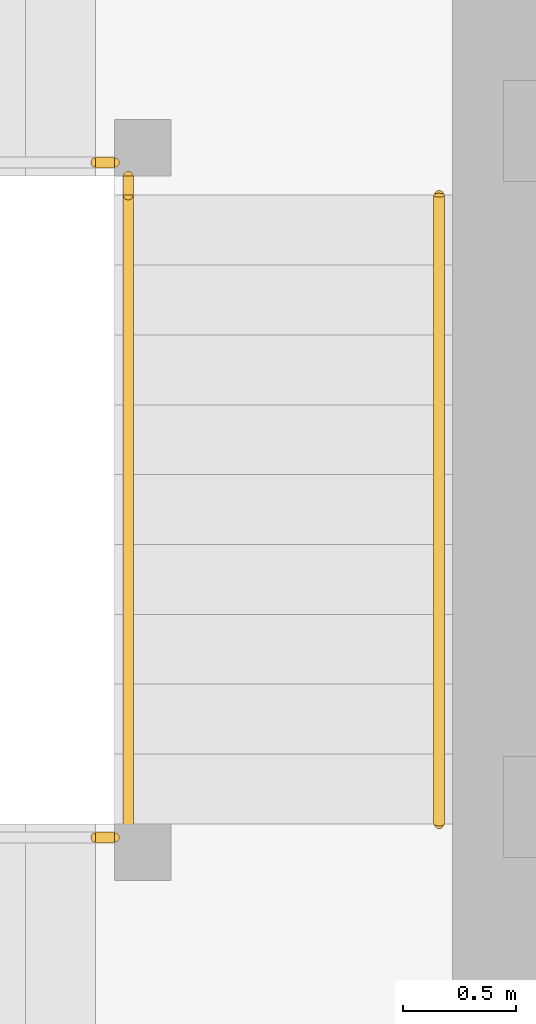
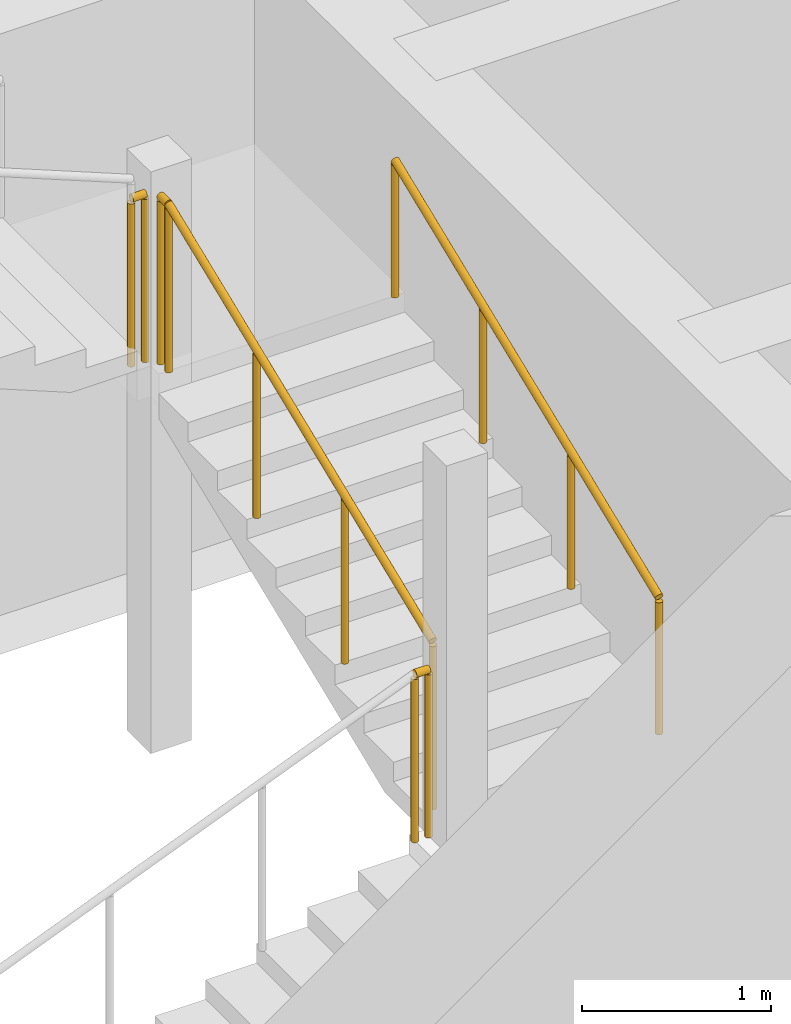
# One storey, part 34 of 40: 5 railings.
"""IFC4 building model written with IfcOpenShell, lengths in metres."""

from ifc_helpers import new_model, si_unit, direction, frame, origin, origin_2d, place, context, subcontext, project, spatial, circle, extrude, material, type_object, element, save


model = new_model("IFC4")

# Units and contexts
model_context = context("Model", 3, precision=1e-05, world=origin(), true_north=direction((0.0, 1.0)))
body_context = subcontext(model_context, "Body", "Model", "MODEL_VIEW")
ifc_project = project(units=[si_unit("LENGTHUNIT", "METRE"), si_unit("AREAUNIT", "SQUARE_METRE"), si_unit("VOLUMEUNIT", "CUBIC_METRE"), si_unit("PLANEANGLEUNIT", "RADIAN"), si_unit("MASSUNIT", "GRAM", prefix="KILO")], contexts=[model_context])

# Site, building, storey
site_placement = place(None, origin())
site = spatial("IfcSite", under=ifc_project, at=site_placement, CompositionType="ELEMENT")
building_placement = place(site_placement, origin())
building = spatial("IfcBuilding", under=site, at=building_placement, Name="Rekha Terrace Tower", CompositionType="ELEMENT")
storey_placement = place(building_placement, frame((0.0, 0.0, 213.949951171875)))
storey = spatial("IfcBuildingStorey", under=building, at=storey_placement, Name="L54", CompositionType="ELEMENT", Elevation=213.949951171875)

# Railings
ifc_material_1 = material(Name="Stainless steel balustrade", Category="steel")
railing_type_1 = type_object("IfcRailingType", Name="GR1 1100 stair guard", PredefinedType="GUARDRAIL", material=ifc_material_1)
railing_1_placement = place(storey_placement, frame((30.135009765625, 41.324951171875, 1.375)))
element("IfcRailing", 1, at=railing_1_placement, inside=storey, type_object=railing_type_1, Name="Guard ST4 L54 flight 2", PredefinedType="GUARDRAIL", context=body_context, shape_type="SweptSolid", body=[
    extrude(circle(Radius=0.02392578125, at=origin_2d()), frame((0.0, 0.0, 1.076171875), z_axis=(0.0, 0.927443287984, 0.373963831907), x_axis=(-1.0, 0.0, 0.0)), (0.0, 0.0, 1.0), 3.00830078125),
    extrude(circle(Radius=0.02099609375, at=origin_2d()), origin(), (0.0, 0.0, 1.0), 1.052001953125),
    extrude(circle(Radius=0.02099609375, at=origin_2d()), frame((0.0, 0.929931640625, 0.375)), (0.0, 0.0, 1.0), 1.052001953125),
    extrude(circle(Radius=0.02099609375, at=origin_2d()), frame((0.0, 1.860107421875, 0.75)), (0.0, 0.0, 1.0), 1.052001953125),
    extrude(circle(Radius=0.02099609375, at=origin_2d()), frame((0.0, 2.7900390625, 1.125)), (0.0, 0.0, 1.0), 1.052001953125),
])
railing_2_placement = place(storey_placement, frame((29.989990234375, 41.264892578125, 1.25)))
element("IfcRailing", 2, at=railing_2_placement, inside=storey, type_object=railing_type_1, Name="Guard ST4 L54 landing 1", PredefinedType="GUARDRAIL", context=body_context, shape_type="SweptSolid", body=[
    extrude(circle(Radius=0.02392578125, at=origin_2d()), frame((0.0, 0.0, 1.076171875), z_axis=(1.0, 0.0, 0.0), x_axis=(0.0, 1.0, 0.0)), (0.0, 0.0, 1.0), 0.0849609375),
    extrude(circle(Radius=0.02099609375, at=origin_2d()), origin(), (0.0, 0.0, 1.0), 1.052001953125),
    extrude(circle(Radius=0.02099609375, at=origin_2d()), frame((0.0849609375, 0.0, 0.0)), (0.0, 0.0, 1.0), 1.052001953125),
])
railing_3_placement = place(storey_placement, frame((30.135009765625, 44.114990234375, 2.5)))
element("IfcRailing", 3, at=railing_3_placement, inside=storey, type_object=railing_type_1, Name="Guard ST4 L54 landing 2", PredefinedType="GUARDRAIL", context=body_context, shape_type="SweptSolid", body=[
    extrude(circle(Radius=0.02392578125, at=origin_2d()), frame((0.0, 0.0, 1.076171875), z_axis=(0.0, 1.0, 0.0), x_axis=(-1.0, 0.0, 0.0)), (0.0, 0.0, 1.0), 0.0849609375),
    extrude(circle(Radius=0.02099609375, at=origin_2d()), origin(), (0.0, 0.0, 1.0), 1.052001953125),
    extrude(circle(Radius=0.02099609375, at=origin_2d()), frame((0.0, 0.0849609375, 0.0)), (0.0, 0.0, 1.0), 1.052001953125),
])
railing_4_placement = place(storey_placement, frame((29.989990234375, 44.260009765625, 2.5)))
element("IfcRailing", 4, at=railing_4_placement, inside=storey, type_object=railing_type_1, Name="Guard ST4 L54 landing 3", PredefinedType="GUARDRAIL", context=body_context, shape_type="SweptSolid", body=[
    extrude(circle(Radius=0.02392578125, at=origin_2d()), frame((0.0, 0.0, 1.076171875), z_axis=(1.0, 0.0, 0.0), x_axis=(0.0, 1.0, 0.0)), (0.0, 0.0, 1.0), 0.0849609375),
    extrude(circle(Radius=0.02099609375, at=origin_2d()), origin(), (0.0, 0.0, 1.0), 1.052001953125),
    extrude(circle(Radius=0.02099609375, at=origin_2d()), frame((0.0849609375, 0.0, 0.0)), (0.0, 0.0, 1.0), 1.052001953125),
])
ifc_material_2 = material(Name="Stainless steel tube", Category="steel")
railing_type_2 = type_object("IfcRailingType", Name="HR1 900 stair handrail", PredefinedType="HANDRAIL", material=ifc_material_2)
railing_5_placement = place(storey_placement, frame((31.514892578125, 41.324951171875, 1.375)))
element("IfcRailing", 5, at=railing_5_placement, inside=storey, type_object=railing_type_2, Name="Handrail ST4 L54 flight 2", PredefinedType="HANDRAIL", context=body_context, shape_type="SweptSolid", body=[
    extrude(circle(Radius=0.02392578125, at=origin_2d()), frame((0.0, 0.0, 0.8759765625), z_axis=(0.0, 0.927443287984, 0.373963831907), x_axis=(-1.0, 0.0, 0.0)), (0.0, 0.0, 1.0), 3.00830078125),
    extrude(circle(Radius=0.02099609375, at=origin_2d()), origin(), (0.0, 0.0, 1.0), 0.851806640625),
    extrude(circle(Radius=0.02099609375, at=origin_2d()), frame((0.0, 0.929931640625, 0.375)), (0.0, 0.0, 1.0), 0.851806640625),
    extrude(circle(Radius=0.02099609375, at=origin_2d()), frame((0.0, 1.860107421875, 0.75)), (0.0, 0.0, 1.0), 0.851806640625),
    extrude(circle(Radius=0.02099609375, at=origin_2d()), frame((0.0, 2.7900390625, 1.125)), (0.0, 0.0, 1.0), 0.851806640625),
])

save(model, "model.ifc")
